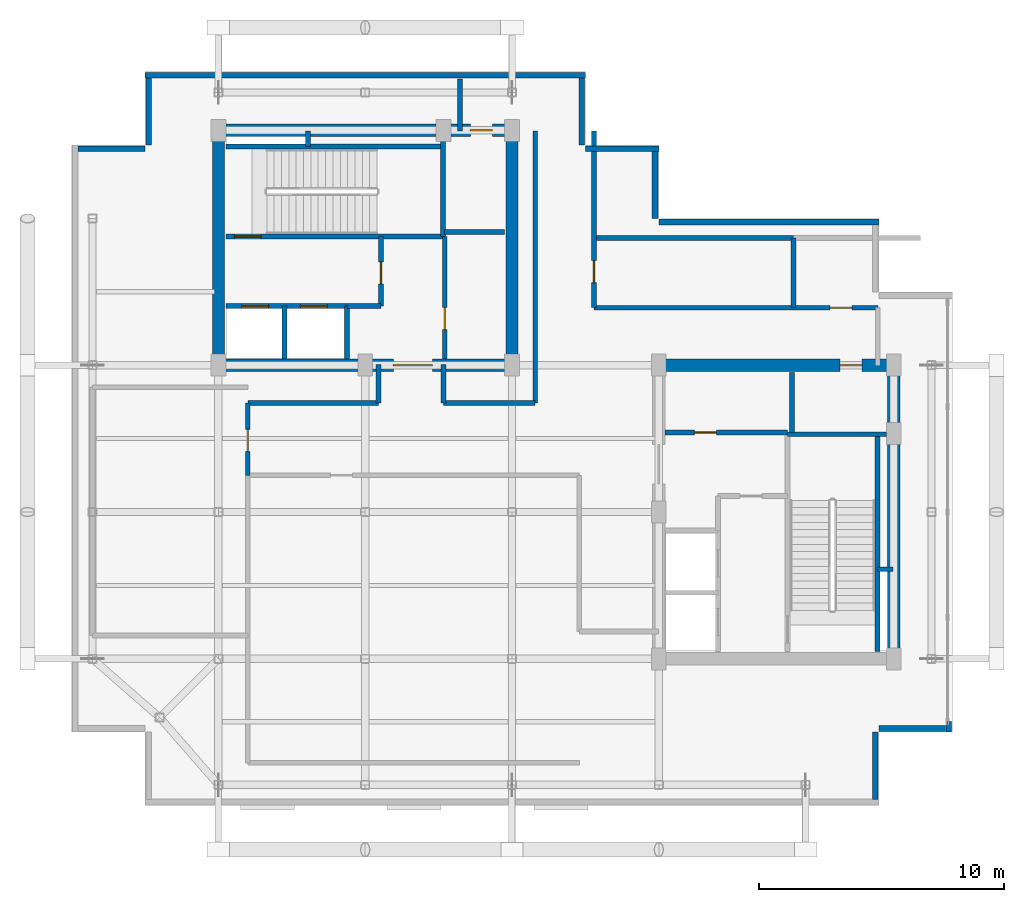
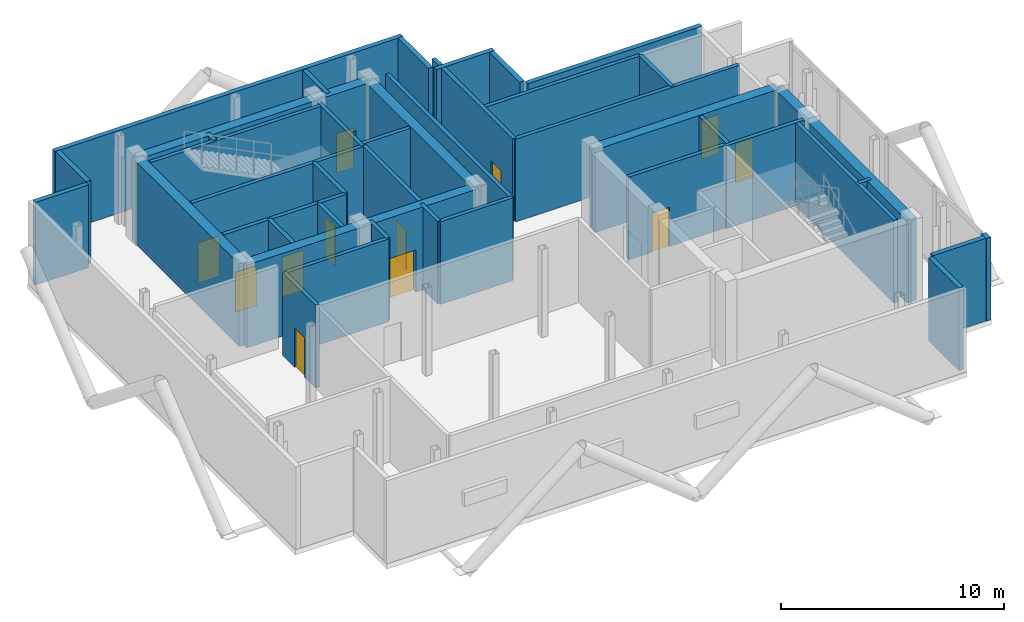
# One storey, part 4 of 6: 43 walls, 12 doors, 12 openings.
"""IFC4 building model written with IfcOpenShell, lengths in metres."""

from ifc_helpers import new_model, si_unit, direction, frame, frame_2d, origin, place, context, subcontext, project, spatial, rectangle, extrude, material, layer, layer_set, type_object, element, fill, save


model = new_model("IFC4")

# Units and contexts
model_context = context("Model", 3, precision=1e-05, world=origin(), true_north=direction((0.0, 1.0)))
body_context = subcontext(model_context, "Body", "Model", "MODEL_VIEW")
ifc_project = project(units=[si_unit("LENGTHUNIT", "METRE"), si_unit("AREAUNIT", "SQUARE_METRE"), si_unit("VOLUMEUNIT", "CUBIC_METRE"), si_unit("PLANEANGLEUNIT", "RADIAN"), si_unit("MASSUNIT", "GRAM", prefix="KILO"), si_unit("THERMODYNAMICTEMPERATUREUNIT", "KELVIN"), si_unit("POWERUNIT", "WATT")], contexts=[model_context])

# Site, building, storey
site_placement = place(None, origin())
site = spatial("IfcSite", under=ifc_project, at=site_placement, CompositionType="ELEMENT")
building_placement = place(site_placement, origin())
building = spatial("IfcBuilding", under=site, at=building_placement, Name="Svarakhadi Broadcast Tower", CompositionType="ELEMENT")
storey_placement = place(building_placement, frame((0.0, 0.0, 300.89990234375)))
storey = spatial("IfcBuildingStorey", under=building, at=storey_placement, Name="L76", CompositionType="ELEMENT", Elevation=300.89990234375)

# Walls
ifc_material_1 = material(Name="Concrete C40/50 (IS 456 M50)", Category="concrete")
ifc_layer_1 = layer(ifc_material_1, 0.239990234375)
ifc_layer_set_1 = layer_set([ifc_layer_1], Name="Concrete C40/50 (IS 456 M50)")
wall_type_1 = type_object("IfcWallType", Name="Wall_Ext_240", PredefinedType="SOLIDWALL", material=ifc_layer_set_1)
wall_1_placement = place(storey_placement, frame((3.0, 29.85009765625, 0.0), z_axis=(0.0, 0.0, 1.0), x_axis=(1.0, 0.0, 0.0)))
element("IfcWall", 1, at=wall_1_placement, inside=storey, type_object=wall_type_1, Name="L76 North Mechanical Acoustic Plant Wall", PredefinedType="SOLIDWALL", context=body_context, shape_type="SweptSolid", body=[
    extrude(rectangle(XDim=18.0, YDim=0.239990234375, at=frame_2d((9.0, 0.0))), origin(), (0.0, 0.0, 1.0), 4.525146484375),
])
for number, where, z_axis, x_axis, name in (
    (2, (0.2548828125, 26.85009765625, 0.0), (0.0, 0.0, 1.0), (1.0, 0.0, 0.0), "L76 Perimeter Bronze Spandrel Closure Wall 02"),
    (3, (3.14990234375, 27.0, 0.0), (0.0, 0.0, 1.0), (0.0, 1.0, 0.0), "L76 Perimeter Bronze Spandrel Closure Wall 03"),
    (4, (20.85009765625, 29.7451171875, 0.0), (0.0, 0.0, 1.0), (0.0, -1.0, 0.0), "L76 Perimeter Bronze Spandrel Closure Wall 04"),
):
    element("IfcWall", number, at=place(storey_placement, frame(where, z_axis=z_axis, x_axis=x_axis)), inside=storey, type_object=wall_type_1, Name=name, PredefinedType="SOLIDWALL", context=body_context, shape_type="SweptSolid", body=[
        extrude(rectangle(XDim=2.7451171875, YDim=0.239990234375, at=frame_2d((1.37255859375, 0.0))), origin(), (0.0, 0.0, 1.0), 4.525146484375),
    ])
wall_2_placement = place(storey_placement, frame((21.0, 26.85009765625, 0.0), z_axis=(0.0, 0.0, 1.0), x_axis=(1.0, 0.0, 0.0)))
element("IfcWall", 5, at=wall_2_placement, inside=storey, type_object=wall_type_1, Name="L76 Perimeter Bronze Spandrel Closure Wall 05", PredefinedType="SOLIDWALL", context=body_context, shape_type="SweptSolid", body=[
    extrude(rectangle(XDim=3.0, YDim=0.239990234375, at=frame_2d((1.5, 0.0))), origin(), (0.0, 0.0, 1.0), 4.525146484375),
])
wall_3_placement = place(storey_placement, frame((23.85009765625, 26.72509765625, 0.0), z_axis=(0.0, 0.0, 1.0), x_axis=(0.0, -1.0, 0.0)))
element("IfcWall", 6, at=wall_3_placement, inside=storey, type_object=wall_type_1, Name="L76 Perimeter Bronze Spandrel Closure Wall 06", PredefinedType="SOLIDWALL", context=body_context, shape_type="SweptSolid", body=[
    extrude(rectangle(XDim=2.72509765625, YDim=0.239990234375, at=frame_2d((1.362548828125, 0.0))), origin(), (0.0, 0.0, 1.0), 4.525146484375),
])
wall_4_placement = place(storey_placement, frame((24.0, 23.85009765625, 0.0), z_axis=(0.0, 0.0, 1.0), x_axis=(1.0, 0.0, 0.0)))
element("IfcWall", 7, at=wall_4_placement, inside=storey, type_object=wall_type_1, Name="L76 Perimeter Bronze Spandrel Closure Wall 07", PredefinedType="SOLIDWALL", context=body_context, shape_type="SweptSolid", body=[
    extrude(rectangle(XDim=9.0, YDim=0.239990234375, at=frame_2d((4.5, 0.0))), origin(), (0.0, 0.0, 1.0), 4.525146484375),
])
wall_5_placement = place(storey_placement, frame((35.85009765625, 3.43505859375, 0.0), z_axis=(0.0, 0.0, 1.0), x_axis=(0.0, -1.0, 0.0)))
element("IfcWall", 8, at=wall_5_placement, inside=storey, type_object=wall_type_1, Name="L76 Perimeter Bronze Spandrel Closure Wall 10", PredefinedType="SOLIDWALL", context=body_context, shape_type="SweptSolid", body=[
    extrude(rectangle(XDim=0.43505859375, YDim=0.239990234375, at=frame_2d((0.217529296875, 0.0))), origin(), (0.0, 0.0, 1.0), 4.525146484375),
])
wall_6_placement = place(storey_placement, frame((35.72509765625, 3.14990234375, 0.0), z_axis=(0.0, 0.0, 1.0), x_axis=(-1.0, 0.0, 0.0)))
element("IfcWall", 9, at=wall_6_placement, inside=storey, type_object=wall_type_1, Name="L76 Perimeter Bronze Spandrel Closure Wall 11", PredefinedType="SOLIDWALL", context=body_context, shape_type="SweptSolid", body=[
    extrude(rectangle(XDim=2.72509765625, YDim=0.239990234375, at=frame_2d((1.362548828125, 0.0))), origin(), (0.0, 0.0, 1.0), 4.525146484375),
])
wall_7_placement = place(storey_placement, frame((32.85009765625, 3.0, 0.0), z_axis=(0.0, 0.0, 1.0), x_axis=(0.0, -1.0, 0.0)))
element("IfcWall", 10, at=wall_7_placement, inside=storey, type_object=wall_type_1, Name="L76 Perimeter Bronze Spandrel Closure Wall 12", PredefinedType="SOLIDWALL", context=body_context, shape_type="SweptSolid", body=[
    extrude(rectangle(XDim=2.7451171875, YDim=0.239990234375, at=frame_2d((1.37255859375, 0.0))), origin(), (0.0, 0.0, 1.0), 4.525146484375),
])
ifc_layer_2 = layer(ifc_material_1, 0.199951171875)
ifc_layer_set_2 = layer_set([ifc_layer_2], Name="Concrete C40/50 (IS 456 M50)")
wall_type_2 = type_object("IfcWallType", Name="Wall_Fire_200", PredefinedType="SOLIDWALL", material=ifc_layer_set_2)
for number, where, z_axis, x_axis, name in (
    (11, (9.659912109375, 26.93994140625, 0.0), (0.0, 0.0, 1.0), (0.0, 1.0, 0.0), "L76 Wet Riser Shaft East Wall"),
    (12, (32.93994140625, 9.659912109375, 0.0), (0.0, 0.0, 1.0), (1.0, 0.0, 0.0), "L76 HV Busduct Riser Shaft North Wall"),
):
    element("IfcWall", number, at=place(storey_placement, frame(where, z_axis=z_axis, x_axis=x_axis)), inside=storey, type_object=wall_type_2, Name=name, PredefinedType="SOLIDWALL", context=body_context, shape_type="SweptSolid", body=[
        extrude(rectangle(XDim=0.64013671875, YDim=0.199951171875, at=frame_2d((0.320068359375, 0.0))), origin(), (0.0, 0.0, 1.0), 4.525146484375),
    ])

# Wall, opening, door
wall_8_placement = place(storey_placement, frame((15.25, 18.25, 0.0), z_axis=(0.0, 0.0, 1.0), x_axis=(0.0, 1.0, 0.0)))
wall_8 = element("IfcWall", 13, at=wall_8_placement, inside=storey, type_object=wall_type_2, Name="L76 Bank C West Motor Room Wall", PredefinedType="SOLIDWALL", context=body_context, shape_type="SweptSolid", body=[
    extrude(rectangle(XDim=5.010009765625, YDim=0.199951171875, at=frame_2d((2.5048828125, 0.0))), origin(), (0.0, 0.0, 1.0), 4.525146484375),
])
opening_1_placement = place(wall_8_placement, frame((1.199951171875, 0.0, 0.0)))
opening_1 = element("IfcOpeningElement", 14, at=opening_1_placement, cuts=wall_8, Name="Opening D-04", PredefinedType="OPENING", context=body_context, shape_type="SweptSolid", body=[
    extrude(rectangle(XDim=0.89990234375, YDim=2.14990234375, at=frame_2d((0.449951171875, 1.074951171875))), frame((0.0, 0.10986328125, 0.0), z_axis=(0.0, -1.0, 0.0), x_axis=(1.0, 0.0, 0.0)), (0.0, 0.0, 1.0), 0.219970703125),
])
ifc_material_2 = material(Name="Galvanised Powder-Coated Fire-Rated Steel Leaf", Category="steel")
door_type_1 = type_object("IfcDoorType", Name="Door_Fire_D04", OperationType="SINGLE_SWING_RIGHT", PredefinedType="DOOR", material=ifc_material_2)
door_1_placement = place(opening_1_placement, origin())
door_1 = element("IfcDoor", 15, at=door_1_placement, inside=storey, type_object=door_type_1, Name="L76 Bank C West Motor Room Door", OperationType="SINGLE_SWING_RIGHT", OverallHeight=2.14990234375, OverallWidth=0.89990234375, PredefinedType="DOOR", context=body_context, shape_type="SweptSolid", body=[
    extrude(rectangle(XDim=0.89990234375, YDim=2.14990234375, at=frame_2d((0.449951171875, 1.074951171875))), frame((0.0, 0.02490234375, 0.0), z_axis=(0.0, -1.0, 0.0), x_axis=(1.0, 0.0, 0.0)), (0.0, 0.0, 1.0), 0.050048828125),
])
fill(opening_1, door_1)

# Wall
wall_9_placement = place(storey_placement, frame((15.25, 23.449951171875, 0.0), z_axis=(0.0, 0.0, 1.0), x_axis=(1.0, 0.0, 0.0)))
element("IfcWall", 16, at=wall_9_placement, inside=storey, type_object=wall_type_2, Name="L76 Bank C West Motor Room North Wall", PredefinedType="SOLIDWALL", context=body_context, shape_type="SweptSolid", body=[
    extrude(rectangle(XDim=2.449951171875, YDim=0.199951171875, at=frame_2d((1.22509765625, 0.0))), origin(), (0.0, 0.0, 1.0), 4.525146484375),
])

# Wall, opening, door
wall_10_placement = place(storey_placement, frame((24.25, 15.25, 0.0), z_axis=(0.0, 0.0, 1.0), x_axis=(1.0, 0.0, 0.0)))
wall_10 = element("IfcWall", 17, at=wall_10_placement, inside=storey, type_object=wall_type_2, Name="L76 Bank C East Motor Room Wall", PredefinedType="SOLIDWALL", context=body_context, shape_type="SweptSolid", body=[
    extrude(rectangle(XDim=5.010009765625, YDim=0.199951171875, at=frame_2d((2.5048828125, 0.0))), origin(), (0.0, 0.0, 1.0), 4.525146484375),
])
opening_2_placement = place(wall_10_placement, frame((1.199951171875, 0.0, 0.0)))
opening_2 = element("IfcOpeningElement", 18, at=opening_2_placement, cuts=wall_10, Name="Opening D-03", PredefinedType="OPENING", context=body_context, shape_type="SweptSolid", body=[
    extrude(rectangle(XDim=0.89990234375, YDim=2.14990234375, at=frame_2d((0.449951171875, 1.074951171875))), frame((0.0, 0.10986328125, 0.0), z_axis=(0.0, -1.0, 0.0), x_axis=(1.0, 0.0, 0.0)), (0.0, 0.0, 1.0), 0.219970703125),
])
door_type_2 = type_object("IfcDoorType", Name="Door_Fire_D03", OperationType="SINGLE_SWING_LEFT", PredefinedType="DOOR", material=ifc_material_2)
door_2_placement = place(opening_2_placement, origin())
door_2 = element("IfcDoor", 19, at=door_2_placement, inside=storey, type_object=door_type_2, Name="L76 Bank C East Motor Room Door", OperationType="SINGLE_SWING_LEFT", OverallHeight=2.14990234375, OverallWidth=0.89990234375, PredefinedType="DOOR", context=body_context, shape_type="SweptSolid", body=[
    extrude(rectangle(XDim=0.89990234375, YDim=2.14990234375, at=frame_2d((0.449951171875, 1.074951171875))), frame((0.0, 0.02490234375, 0.0), z_axis=(0.0, -1.0, 0.0), x_axis=(1.0, 0.0, 0.0)), (0.0, 0.0, 1.0), 0.050048828125),
])
fill(opening_2, door_2)

# Wall
wall_11_placement = place(storey_placement, frame((29.449951171875, 15.25, 0.0), z_axis=(0.0, 0.0, 1.0), x_axis=(0.0, 1.0, 0.0)))
element("IfcWall", 20, at=wall_11_placement, inside=storey, type_object=wall_type_2, Name="L76 Bank C East Motor Room East Wall", PredefinedType="SOLIDWALL", context=body_context, shape_type="SweptSolid", body=[
    extrude(rectangle(XDim=2.449951171875, YDim=0.199951171875, at=frame_2d((1.22509765625, 0.0))), origin(), (0.0, 0.0, 1.0), 4.525146484375),
])

# Wall, opening, door
wall_12_placement = place(storey_placement, frame((7.199951171875, 13.5, 0.0), z_axis=(0.0, 0.0, 1.0), x_axis=(0.0, 1.0, 0.0)))
wall_12 = element("IfcWall", 21, at=wall_12_placement, inside=storey, type_object=wall_type_2, Name="L76 Plant Service Corridor Wall", PredefinedType="SOLIDWALL", context=body_context, shape_type="SweptSolid", body=[
    extrude(rectangle(XDim=2.949951171875, YDim=0.199951171875, at=frame_2d((1.47509765625, 0.0))), origin(), (0.0, 0.0, 1.0), 4.525146484375),
])
opening_3_placement = place(wall_12_placement, frame((0.97509765625, 0.0, 0.0)))
opening_3 = element("IfcOpeningElement", 22, at=opening_3_placement, cuts=wall_12, Name="Opening D-03", PredefinedType="OPENING", context=body_context, shape_type="SweptSolid", body=[
    extrude(rectangle(XDim=0.89990234375, YDim=2.14990234375, at=frame_2d((0.449951171875, 1.074951171875))), frame((0.0, 0.10986328125, 0.0), z_axis=(0.0, -1.0, 0.0), x_axis=(1.0, 0.0, 0.0)), (0.0, 0.0, 1.0), 0.219970703125),
])
door_3_placement = place(opening_3_placement, origin())
door_3 = element("IfcDoor", 23, at=door_3_placement, inside=storey, type_object=door_type_2, Name="L76 Upper Zone Transformer Plant Room Door", OperationType="SINGLE_SWING_LEFT", OverallHeight=2.14990234375, OverallWidth=0.89990234375, PredefinedType="DOOR", context=body_context, shape_type="SweptSolid", body=[
    extrude(rectangle(XDim=0.89990234375, YDim=2.14990234375, at=frame_2d((0.449951171875, 1.074951171875))), frame((0.0, 0.02490234375, 0.0), z_axis=(0.0, -1.0, 0.0), x_axis=(1.0, 0.0, 0.0)), (0.0, 0.0, 1.0), 0.050048828125),
])
fill(opening_3, door_3)

# Walls
wall_13_placement = place(storey_placement, frame((7.199951171875, 16.449951171875, 0.0), z_axis=(0.0, 0.0, 1.0), x_axis=(1.0, 0.0, 0.0)))
element("IfcWall", 24, at=wall_13_placement, inside=storey, type_object=wall_type_2, Name="L76 Plant Service Corridor Wall", PredefinedType="SOLIDWALL", context=body_context, shape_type="SweptSolid", body=[
    extrude(rectangle(XDim=5.35009765625, YDim=0.199951171875, at=frame_2d((2.675048828125, 0.0))), origin(), (0.0, 0.0, 1.0), 4.525146484375),
])
for number, where, z_axis, x_axis, name in (
    (25, (12.550048828125, 16.449951171875, 0.0), (0.0, 0.0, 1.0), (0.0, 1.0, 0.0), "L76 Plant Service Corridor Wall"),
    (26, (15.199951171875, 18.02001953125, 0.0), (0.0, 0.0, 1.0), (0.0, -1.0, 0.0), "L76 Plant Service Corridor Wall"),
):
    element("IfcWall", number, at=place(storey_placement, frame(where, z_axis=z_axis, x_axis=x_axis)), inside=storey, type_object=wall_type_2, Name=name, PredefinedType="SOLIDWALL", context=body_context, shape_type="SweptSolid", body=[
        extrude(rectangle(XDim=1.570068359375, YDim=0.199951171875, at=frame_2d((0.78515625, 0.0))), origin(), (0.0, 0.0, 1.0), 4.525146484375),
    ])
wall_14_placement = place(storey_placement, frame((15.199951171875, 16.449951171875, 0.0), z_axis=(0.0, 0.0, 1.0), x_axis=(1.0, 0.0, 0.0)))
element("IfcWall", 27, at=wall_14_placement, inside=storey, type_object=wall_type_2, Name="L76 Plant Service Corridor Wall", PredefinedType="SOLIDWALL", context=body_context, shape_type="SweptSolid", body=[
    extrude(rectangle(XDim=3.75, YDim=0.199951171875, at=frame_2d((1.875, 0.0))), origin(), (0.0, 0.0, 1.0), 4.525146484375),
])
wall_15_placement = place(storey_placement, frame((18.949951171875, 16.449951171875, 0.0), z_axis=(0.0, 0.0, 1.0), x_axis=(0.0, 1.0, 0.0)))
element("IfcWall", 28, at=wall_15_placement, inside=storey, type_object=wall_type_2, Name="L76 Plant Service Corridor Wall", PredefinedType="SOLIDWALL", context=body_context, shape_type="SweptSolid", body=[
    extrude(rectangle(XDim=11.130126953125, YDim=0.199951171875, at=frame_2d((5.56494140625, 0.0))), origin(), (0.0, 0.0, 1.0), 4.525146484375),
])
wall_16_placement = place(storey_placement, frame((15.8798828125, 27.580078125, 0.0), z_axis=(0.0, 0.0, 1.0), x_axis=(0.0, 1.0, 0.0)))
element("IfcWall", 29, at=wall_16_placement, inside=storey, type_object=wall_type_2, Name="L76 Plant Service Corridor Wall", PredefinedType="SOLIDWALL", context=body_context, shape_type="SweptSolid", body=[
    extrude(rectangle(XDim=2.119873046875, YDim=0.199951171875, at=frame_2d((1.06005859375, 0.0))), origin(), (0.0, 0.0, 1.0), 4.525146484375),
])

# Wall, opening, door
wall_17_placement = place(storey_placement, frame((21.35009765625, 27.580078125, 0.0), z_axis=(0.0, 0.0, 1.0), x_axis=(0.0, -1.0, 0.0)))
wall_17 = element("IfcWall", 30, at=wall_17_placement, inside=storey, type_object=wall_type_2, Name="L76 Plant Service Corridor Wall", PredefinedType="SOLIDWALL", context=body_context, shape_type="SweptSolid", body=[
    extrude(rectangle(XDim=7.22998046875, YDim=0.199951171875, at=frame_2d((3.614990234375, 0.0))), origin(), (0.0, 0.0, 1.0), 4.525146484375),
])
opening_4_placement = place(wall_17_placement, frame((5.304931640625, 0.0, 0.0)))
opening_4 = element("IfcOpeningElement", 31, at=opening_4_placement, cuts=wall_17, Name="Opening D-04", PredefinedType="OPENING", context=body_context, shape_type="SweptSolid", body=[
    extrude(rectangle(XDim=0.89990234375, YDim=2.14990234375, at=frame_2d((0.449951171875, 1.074951171875))), frame((0.0, 0.10986328125, 0.0), z_axis=(0.0, -1.0, 0.0), x_axis=(1.0, 0.0, 0.0)), (0.0, 0.0, 1.0), 0.219970703125),
])
door_4_placement = place(opening_4_placement, origin())
door_4 = element("IfcDoor", 32, at=door_4_placement, inside=storey, type_object=door_type_1, Name="L76 UHF Digital Transmitter Cooling Plant Room Door", OperationType="SINGLE_SWING_RIGHT", OverallHeight=2.14990234375, OverallWidth=0.89990234375, PredefinedType="DOOR", context=body_context, shape_type="SweptSolid", body=[
    extrude(rectangle(XDim=0.89990234375, YDim=2.14990234375, at=frame_2d((0.449951171875, 1.074951171875))), frame((0.0, 0.02490234375, 0.0), z_axis=(0.0, -1.0, 0.0), x_axis=(1.0, 0.0, 0.0)), (0.0, 0.0, 1.0), 0.050048828125),
])
fill(opening_4, door_4)

wall_18_placement = place(storey_placement, frame((21.35009765625, 20.35009765625, 0.0), z_axis=(0.0, 0.0, 1.0), x_axis=(1.0, 0.0, 0.0)))
wall_18 = element("IfcWall", 33, at=wall_18_placement, inside=storey, type_object=wall_type_2, Name="L76 Plant Service Corridor Wall", PredefinedType="SOLIDWALL", context=body_context, shape_type="SweptSolid", body=[
    extrude(rectangle(XDim=11.599853515625, YDim=0.199951171875, at=frame_2d((5.7998046875, 0.0))), origin(), (0.0, 0.0, 1.0), 4.525146484375),
])
opening_5_placement = place(wall_18_placement, frame((9.64990234375, 0.0, 0.0)))
opening_5 = element("IfcOpeningElement", 34, at=opening_5_placement, cuts=wall_18, Name="Opening D-03", PredefinedType="OPENING", context=body_context, shape_type="SweptSolid", body=[
    extrude(rectangle(XDim=0.89990234375, YDim=2.14990234375, at=frame_2d((0.449951171875, 1.074951171875))), frame((0.0, 0.10986328125, 0.0), z_axis=(0.0, -1.0, 0.0), x_axis=(1.0, 0.0, 0.0)), (0.0, 0.0, 1.0), 0.219970703125),
])
door_5_placement = place(opening_5_placement, origin())
door_5 = element("IfcDoor", 35, at=door_5_placement, inside=storey, type_object=door_type_2, Name="L76 Crown Harmonic Filter Plant Room Door", OperationType="SINGLE_SWING_LEFT", OverallHeight=2.14990234375, OverallWidth=0.89990234375, PredefinedType="DOOR", context=body_context, shape_type="SweptSolid", body=[
    extrude(rectangle(XDim=0.89990234375, YDim=2.14990234375, at=frame_2d((0.449951171875, 1.074951171875))), frame((0.0, 0.02490234375, 0.0), z_axis=(0.0, -1.0, 0.0), x_axis=(1.0, 0.0, 0.0)), (0.0, 0.0, 1.0), 0.050048828125),
])
fill(opening_5, door_5)

# Walls
wall_19_placement = place(storey_placement, frame((21.35009765625, 23.199951171875, 0.0), z_axis=(0.0, 0.0, 1.0), x_axis=(1.0, 0.0, 0.0)))
element("IfcWall", 36, at=wall_19_placement, inside=storey, type_object=wall_type_2, Name="L76 UHF Digital Transmitter Cooling Plant Room Wall", PredefinedType="SOLIDWALL", context=body_context, shape_type="SweptSolid", body=[
    extrude(rectangle(XDim=8.14990234375, YDim=0.199951171875, at=frame_2d((4.074951171875, 0.0))), origin(), (0.0, 0.0, 1.0), 4.525146484375),
])
wall_20_placement = place(storey_placement, frame((29.5, 20.35009765625, 0.0), z_axis=(0.0, 0.0, 1.0), x_axis=(0.0, 1.0, 0.0)))
element("IfcWall", 37, at=wall_20_placement, inside=storey, type_object=wall_type_2, Name="L76 UHF Digital Transmitter Cooling Plant Room Wall", PredefinedType="SOLIDWALL", context=body_context, shape_type="SweptSolid", body=[
    extrude(rectangle(XDim=2.849853515625, YDim=0.199951171875, at=frame_2d((1.4248046875, 0.0))), origin(), (0.0, 0.0, 1.0), 4.525146484375),
])

# Wall, opening, door
ifc_material_3 = material(Name="Concrete C50/60 (IS 456 M60)", Category="concrete")
ifc_layer_3 = layer(ifc_material_3, 0.199951171875)
ifc_layer_set_3 = layer_set([ifc_layer_3], Name="Concrete C50/60 (IS 456 M60)")
wall_type_3 = type_object("IfcWallType", Name="Wall_Shear_200", PredefinedType="SHEAR", material=ifc_layer_set_3)
wall_21_placement = place(storey_placement, frame((6.300048828125, 23.260009765625, 0.0), z_axis=(0.0, 0.0, 1.0), x_axis=(1.0, 0.0, 0.0)))
wall_21 = element("IfcWall", 38, at=wall_21_placement, inside=storey, type_object=wall_type_3, Name="L76 Stair ST-01 South RC Shaft Wall", PredefinedType="SHEAR", context=body_context, shape_type="SweptSolid", body=[
    extrude(rectangle(XDim=8.8798828125, YDim=0.199951171875, at=frame_2d((4.43994140625, 0.0))), origin(), (0.0, 0.0, 1.0), 4.525146484375),
])
opening_6_placement = place(wall_21_placement, frame((0.35009765625, 0.0, 0.0)))
opening_6 = element("IfcOpeningElement", 39, at=opening_6_placement, cuts=wall_21, Name="Opening D-01", PredefinedType="OPENING", context=body_context, shape_type="SweptSolid", body=[
    extrude(rectangle(XDim=1.10009765625, YDim=2.199951171875, at=frame_2d((0.550048828125, 1.10009765625))), frame((0.0, 0.10986328125, 0.0), z_axis=(0.0, -1.0, 0.0), x_axis=(1.0, 0.0, 0.0)), (0.0, 0.0, 1.0), 0.219970703125),
])
door_type_3 = type_object("IfcDoorType", Name="Door_Stair_D01", OperationType="SINGLE_SWING_LEFT", PredefinedType="DOOR", material=ifc_material_2)
door_6_placement = place(opening_6_placement, origin())
door_6 = element("IfcDoor", 40, at=door_6_placement, inside=storey, type_object=door_type_3, Name="L76 Protected Exit Stair ST-01 Fire Door", OperationType="SINGLE_SWING_LEFT", OverallHeight=2.199951171875, OverallWidth=1.10009765625, PredefinedType="DOOR", context=body_context, shape_type="SweptSolid", body=[
    extrude(rectangle(XDim=1.10009765625, YDim=2.199951171875, at=frame_2d((0.550048828125, 1.10009765625))), frame((0.0, 0.02490234375, 0.0), z_axis=(0.0, -1.0, 0.0), x_axis=(1.0, 0.0, 0.0)), (0.0, 0.0, 1.0), 0.050048828125),
])
fill(opening_6, door_6)

# Walls
wall_22_placement = place(storey_placement, frame((6.300048828125, 26.93994140625, 0.0), z_axis=(0.0, 0.0, 1.0), x_axis=(1.0, 0.0, 0.0)))
element("IfcWall", 41, at=wall_22_placement, inside=storey, type_object=wall_type_3, Name="L76 Stair ST-01 North RC Shaft Wall", PredefinedType="SHEAR", context=body_context, shape_type="SweptSolid", body=[
    extrude(rectangle(XDim=8.8798828125, YDim=0.199951171875, at=frame_2d((4.43994140625, 0.0))), origin(), (0.0, 0.0, 1.0), 4.525146484375),
])
wall_23_placement = place(storey_placement, frame((15.179931640625, 23.260009765625, 0.0), z_axis=(0.0, 0.0, 1.0), x_axis=(0.0, 1.0, 0.0)))
element("IfcWall", 42, at=wall_23_placement, inside=storey, type_object=wall_type_3, Name="L76 Stair ST-01 East RC Shaft Wall", PredefinedType="SHEAR", context=body_context, shape_type="SweptSolid", body=[
    extrude(rectangle(XDim=4.0400390625, YDim=0.199951171875, at=frame_2d((2.02001953125, 0.0))), origin(), (0.0, 0.0, 1.0), 4.525146484375),
])
wall_24_placement = place(storey_placement, frame((32.93994140625, 6.300048828125, 0.0), z_axis=(0.0, 0.0, 1.0), x_axis=(0.0, 1.0, 0.0)))
element("IfcWall", 43, at=wall_24_placement, inside=storey, type_object=wall_type_3, Name="L76 Stair ST-02 East RC Shaft Wall", PredefinedType="SHEAR", context=body_context, shape_type="SweptSolid", body=[
    extrude(rectangle(XDim=8.8798828125, YDim=0.199951171875, at=frame_2d((4.43994140625, 0.0))), origin(), (0.0, 0.0, 1.0), 4.525146484375),
])
wall_25_placement = place(storey_placement, frame((29.260009765625, 15.179931640625, 0.0), z_axis=(0.0, 0.0, 1.0), x_axis=(1.0, 0.0, 0.0)))
element("IfcWall", 44, at=wall_25_placement, inside=storey, type_object=wall_type_3, Name="L76 Stair ST-02 North RC Shaft Wall", PredefinedType="SHEAR", context=body_context, shape_type="SweptSolid", body=[
    extrude(rectangle(XDim=4.0400390625, YDim=0.199951171875, at=frame_2d((2.02001953125, 0.0))), origin(), (0.0, 0.0, 1.0), 4.525146484375),
])

# Wall, openings, doors
wall_26_placement = place(storey_placement, frame((6.300048828125, 20.419921875, 0.0), z_axis=(0.0, 0.0, 1.0), x_axis=(1.0, 0.0, 0.0)))
wall_26 = element("IfcWall", 45, at=wall_26_placement, inside=storey, type_object=wall_type_3, Name="L76 Firefighting Lift LF-01/02 Shaft Wall", PredefinedType="SHEAR", context=body_context, shape_type="SweptSolid", body=[
    extrude(rectangle(XDim=4.949951171875, YDim=0.199951171875, at=frame_2d((2.47509765625, 0.0))), origin(), (0.0, 0.0, 1.0), 4.525146484375),
])
opening_7_placement = place(wall_26_placement, frame((0.64990234375, 0.0, 0.0)))
opening_7 = element("IfcOpeningElement", 46, at=opening_7_placement, cuts=wall_26, Name="Opening LD-01", PredefinedType="OPENING", context=body_context, shape_type="SweptSolid", body=[
    extrude(rectangle(XDim=1.10009765625, YDim=2.199951171875, at=frame_2d((0.550048828125, 1.10009765625))), frame((0.0, 0.10986328125, 0.0), z_axis=(0.0, -1.0, 0.0), x_axis=(1.0, 0.0, 0.0)), (0.0, 0.0, 1.0), 0.219970703125),
])
opening_8_placement = place(wall_26_placement, frame((3.050048828125, 0.0, 0.0)))
opening_8 = element("IfcOpeningElement", 47, at=opening_8_placement, cuts=wall_26, Name="Opening LD-01", PredefinedType="OPENING", context=body_context, shape_type="SweptSolid", body=[
    extrude(rectangle(XDim=1.10009765625, YDim=2.199951171875, at=frame_2d((0.550048828125, 1.10009765625))), frame((0.0, 0.10986328125, 0.0), z_axis=(0.0, -1.0, 0.0), x_axis=(1.0, 0.0, 0.0)), (0.0, 0.0, 1.0), 0.219970703125),
])
door_type_4 = type_object("IfcDoorType", Name="Door_Lift_LD01", OperationType="SLIDING_TO_LEFT", PredefinedType="DOOR", material=ifc_material_2)
door_7_placement = place(opening_7_placement, origin())
door_7 = element("IfcDoor", 48, at=door_7_placement, inside=storey, type_object=door_type_4, Name="L76 Firefighting Lift LF-01 Landing Door", OperationType="SLIDING_TO_LEFT", OverallHeight=2.199951171875, OverallWidth=1.10009765625, PredefinedType="DOOR", context=body_context, shape_type="SweptSolid", body=[
    extrude(rectangle(XDim=1.10009765625, YDim=2.199951171875, at=frame_2d((0.550048828125, 1.10009765625))), frame((0.0, 0.02490234375, 0.0), z_axis=(0.0, -1.0, 0.0), x_axis=(1.0, 0.0, 0.0)), (0.0, 0.0, 1.0), 0.050048828125),
])
fill(opening_7, door_7)
door_8_placement = place(opening_8_placement, origin())
door_8 = element("IfcDoor", 49, at=door_8_placement, inside=storey, type_object=door_type_4, Name="L76 Firefighting Lift LF-02 Landing Door", OperationType="SLIDING_TO_LEFT", OverallHeight=2.199951171875, OverallWidth=1.10009765625, PredefinedType="DOOR", context=body_context, shape_type="SweptSolid", body=[
    extrude(rectangle(XDim=1.10009765625, YDim=2.199951171875, at=frame_2d((0.550048828125, 1.10009765625))), frame((0.0, 0.02490234375, 0.0), z_axis=(0.0, -1.0, 0.0), x_axis=(1.0, 0.0, 0.0)), (0.0, 0.0, 1.0), 0.050048828125),
])
fill(opening_8, door_8)

# Walls
for number, where, z_axis, x_axis, name in (
    (50, (8.699951171875, 18.25, 0.0), (0.0, 0.0, 1.0), (0.0, 1.0, 0.0), "L76 Firefighting Lift LF-01/02 Divider Wall"),
    (51, (11.25, 18.25, 0.0), (0.0, 0.0, 1.0), (0.0, 1.0, 0.0), "L76 Firefighting Lift LF-02 East Wall"),
):
    element("IfcWall", number, at=place(storey_placement, frame(where, z_axis=z_axis, x_axis=x_axis)), inside=storey, type_object=wall_type_3, Name=name, PredefinedType="SHEAR", context=body_context, shape_type="SweptSolid", body=[
        extrude(rectangle(XDim=2.169921875, YDim=0.199951171875, at=frame_2d((1.0849609375, 0.0))), origin(), (0.0, 0.0, 1.0), 4.525146484375),
    ])
wall_27_placement = place(storey_placement, frame((11.25, 20.419921875, 0.0), z_axis=(0.0, 0.0, 1.0), x_axis=(1.0, 0.0, 0.0)))
element("IfcWall", 52, at=wall_27_placement, inside=storey, type_object=wall_type_3, Name="L76 West Firefighting Lobby South Wall", PredefinedType="SHEAR", context=body_context, shape_type="SweptSolid", body=[
    extrude(rectangle(XDim=1.39990234375, YDim=0.199951171875, at=frame_2d((0.699951171875, 0.0))), origin(), (0.0, 0.0, 1.0), 4.525146484375),
])

# Wall, opening, door
wall_28_placement = place(storey_placement, frame((12.64990234375, 20.419921875, 0.0), z_axis=(0.0, 0.0, 1.0), x_axis=(0.0, 1.0, 0.0)))
wall_28 = element("IfcWall", 53, at=wall_28_placement, inside=storey, type_object=wall_type_3, Name="L76 West Firefighting Lobby East Wall", PredefinedType="SHEAR", context=body_context, shape_type="SweptSolid", body=[
    extrude(rectangle(XDim=2.840087890625, YDim=0.199951171875, at=frame_2d((1.419921875, 0.0))), origin(), (0.0, 0.0, 1.0), 4.525146484375),
])
opening_9_placement = place(wall_28_placement, frame((0.89990234375, 0.0, 0.0)))
opening_9 = element("IfcOpeningElement", 54, at=opening_9_placement, cuts=wall_28, Name="Opening D-04", PredefinedType="OPENING", context=body_context, shape_type="SweptSolid", body=[
    extrude(rectangle(XDim=0.89990234375, YDim=2.14990234375, at=frame_2d((0.449951171875, 1.074951171875))), frame((0.0, 0.10986328125, 0.0), z_axis=(0.0, -1.0, 0.0), x_axis=(1.0, 0.0, 0.0)), (0.0, 0.0, 1.0), 0.219970703125),
])
door_9_placement = place(opening_9_placement, origin())
door_9 = element("IfcDoor", 55, at=door_9_placement, inside=storey, type_object=door_type_1, Name="L76 West Firefighting Lobby Fire Door", OperationType="SINGLE_SWING_RIGHT", OverallHeight=2.14990234375, OverallWidth=0.89990234375, PredefinedType="DOOR", context=body_context, shape_type="SweptSolid", body=[
    extrude(rectangle(XDim=0.89990234375, YDim=2.14990234375, at=frame_2d((0.449951171875, 1.074951171875))), frame((0.0, 0.02490234375, 0.0), z_axis=(0.0, -1.0, 0.0), x_axis=(1.0, 0.0, 0.0)), (0.0, 0.0, 1.0), 0.050048828125),
])
fill(opening_9, door_9)

ifc_layer_4 = layer(ifc_material_3, 0.5)
ifc_layer_set_4 = layer_set([ifc_layer_4], Name="Concrete C50/60 (IS 456 M60)")
wall_type_4 = type_object("IfcWallType", Name="Wall_Shear_500", PredefinedType="SHEAR", material=ifc_layer_set_4)
wall_29_placement = place(storey_placement, frame((6.0, 18.0, 0.0), z_axis=(0.0, 0.0, 1.0), x_axis=(1.0, 0.0, 0.0)))
wall_29 = element("IfcWall", 56, at=wall_29_placement, inside=storey, type_object=wall_type_4, Name="L76 West Core South Shear Wall", PredefinedType="SHEAR", context=body_context, shape_type="SweptSolid", body=[
    extrude(rectangle(XDim=12.0, YDim=0.5, at=frame_2d((6.0, 0.0))), origin(), (0.0, 0.0, 1.0), 4.525146484375),
])
opening_10_placement = place(wall_29_placement, frame((7.14990234375, 0.0, 0.0)))
opening_10 = element("IfcOpeningElement", 57, at=opening_10_placement, cuts=wall_29, Name="Opening D-05", PredefinedType="OPENING", context=body_context, shape_type="SweptSolid", body=[
    extrude(rectangle(XDim=1.60009765625, YDim=2.300048828125, at=frame_2d((0.800048828125, 1.14990234375))), frame((0.0, 0.260009765625, 0.0), z_axis=(0.0, -1.0, 0.0), x_axis=(1.0, 0.0, 0.0)), (0.0, 0.0, 1.0), 0.52001953125),
])
ifc_material_4 = material(Name="Anodised Bronze Aluminium AA 6063-T6", Category="aluminium")
door_type_5 = type_object("IfcDoorType", Name="Door_Lobby_D05", OperationType="DOUBLE_DOOR_SLIDING", PredefinedType="DOOR", material=ifc_material_4)
door_10_placement = place(opening_10_placement, origin())
door_10 = element("IfcDoor", 58, at=door_10_placement, inside=storey, type_object=door_type_5, Name="L76 West Core Passenger Lift Lobby Entrance Door", OperationType="DOUBLE_DOOR_SLIDING", OverallHeight=2.300048828125, OverallWidth=1.60009765625, PredefinedType="DOOR", context=body_context, shape_type="SweptSolid", body=[
    extrude(rectangle(XDim=1.60009765625, YDim=2.300048828125, at=frame_2d((0.800048828125, 1.14990234375))), frame((0.0, 0.02490234375, 0.0), z_axis=(0.0, -1.0, 0.0), x_axis=(1.0, 0.0, 0.0)), (0.0, 0.0, 1.0), 0.050048828125),
])
fill(opening_10, door_10)

wall_30_placement = place(storey_placement, frame((6.0, 27.60009765625, 0.0), z_axis=(0.0, 0.0, 1.0), x_axis=(1.0, 0.0, 0.0)))
wall_30 = element("IfcWall", 59, at=wall_30_placement, inside=storey, type_object=wall_type_4, Name="L76 West Core North Shear Wall", PredefinedType="SHEAR", context=body_context, shape_type="SweptSolid", body=[
    extrude(rectangle(XDim=12.0, YDim=0.5, at=frame_2d((6.0, 0.0))), origin(), (0.0, 0.0, 1.0), 4.525146484375),
])
opening_11_placement = place(wall_30_placement, frame((10.300048828125, 0.0, 0.0)))
opening_11 = element("IfcOpeningElement", 60, at=opening_11_placement, cuts=wall_30, Name="Opening D-03", PredefinedType="OPENING", context=body_context, shape_type="SweptSolid", body=[
    extrude(rectangle(XDim=0.89990234375, YDim=2.14990234375, at=frame_2d((0.449951171875, 1.074951171875))), frame((0.0, 0.260009765625, 0.0), z_axis=(0.0, -1.0, 0.0), x_axis=(1.0, 0.0, 0.0)), (0.0, 0.0, 1.0), 0.52001953125),
])
door_11_placement = place(opening_11_placement, origin())
door_11 = element("IfcDoor", 61, at=door_11_placement, inside=storey, type_object=door_type_2, Name="L76 Core Service Room West Door", OperationType="SINGLE_SWING_LEFT", OverallHeight=2.14990234375, OverallWidth=0.89990234375, PredefinedType="DOOR", context=body_context, shape_type="SweptSolid", body=[
    extrude(rectangle(XDim=0.89990234375, YDim=2.14990234375, at=frame_2d((0.449951171875, 1.074951171875))), frame((0.0, 0.02490234375, 0.0), z_axis=(0.0, -1.0, 0.0), x_axis=(1.0, 0.0, 0.0)), (0.0, 0.0, 1.0), 0.050048828125),
])
fill(opening_11, door_11)

# Walls
for number, where, z_axis, x_axis, name in (
    (62, (6.0, 18.0, 0.0), (0.0, 0.0, 1.0), (0.0, 1.0, 0.0), "L76 West Core West Shear Wall"),
    (63, (18.0, 18.0, 0.0), (0.0, 0.0, 1.0), (0.0, 1.0, 0.0), "L76 West Core East Shear Wall"),
):
    element("IfcWall", number, at=place(storey_placement, frame(where, z_axis=z_axis, x_axis=x_axis)), inside=storey, type_object=wall_type_4, Name=name, PredefinedType="SHEAR", context=body_context, shape_type="SweptSolid", body=[
        extrude(rectangle(XDim=9.60009765625, YDim=0.5, at=frame_2d((4.800048828125, 0.0))), origin(), (0.0, 0.0, 1.0), 4.525146484375),
    ])

# Wall, opening, door
wall_31_placement = place(storey_placement, frame((24.0, 18.0, 0.0), z_axis=(0.0, 0.0, 1.0), x_axis=(1.0, 0.0, 0.0)))
wall_31 = element("IfcWall", 64, at=wall_31_placement, inside=storey, type_object=wall_type_4, Name="L76 East Core North Shear Wall", PredefinedType="SHEAR", context=body_context, shape_type="SweptSolid", body=[
    extrude(rectangle(XDim=9.60009765625, YDim=0.5, at=frame_2d((4.800048828125, 0.0))), origin(), (0.0, 0.0, 1.0), 4.525146484375),
])
opening_12_placement = place(wall_31_placement, frame((7.39990234375, 0.0, 0.0)))
opening_12 = element("IfcOpeningElement", 65, at=opening_12_placement, cuts=wall_31, Name="Opening D-03", PredefinedType="OPENING", context=body_context, shape_type="SweptSolid", body=[
    extrude(rectangle(XDim=0.89990234375, YDim=2.14990234375, at=frame_2d((0.449951171875, 1.074951171875))), frame((0.0, 0.260009765625, 0.0), z_axis=(0.0, -1.0, 0.0), x_axis=(1.0, 0.0, 0.0)), (0.0, 0.0, 1.0), 0.52001953125),
])
door_12_placement = place(opening_12_placement, origin())
door_12 = element("IfcDoor", 66, at=door_12_placement, inside=storey, type_object=door_type_2, Name="L76 Core Service Room East Door", OperationType="SINGLE_SWING_LEFT", OverallHeight=2.14990234375, OverallWidth=0.89990234375, PredefinedType="DOOR", context=body_context, shape_type="SweptSolid", body=[
    extrude(rectangle(XDim=0.89990234375, YDim=2.14990234375, at=frame_2d((0.449951171875, 1.074951171875))), frame((0.0, 0.02490234375, 0.0), z_axis=(0.0, -1.0, 0.0), x_axis=(1.0, 0.0, 0.0)), (0.0, 0.0, 1.0), 0.050048828125),
])
fill(opening_12, door_12)

# Wall
wall_32_placement = place(storey_placement, frame((33.60009765625, 6.0, 0.0), z_axis=(0.0, 0.0, 1.0), x_axis=(0.0, 1.0, 0.0)))
element("IfcWall", 67, at=wall_32_placement, inside=storey, type_object=wall_type_4, Name="L76 East Core East Shear Wall", PredefinedType="SHEAR", context=body_context, shape_type="SweptSolid", body=[
    extrude(rectangle(XDim=12.0, YDim=0.5, at=frame_2d((6.0, 0.0))), origin(), (0.0, 0.0, 1.0), 4.525146484375),
])

save(model, "model.ifc")
